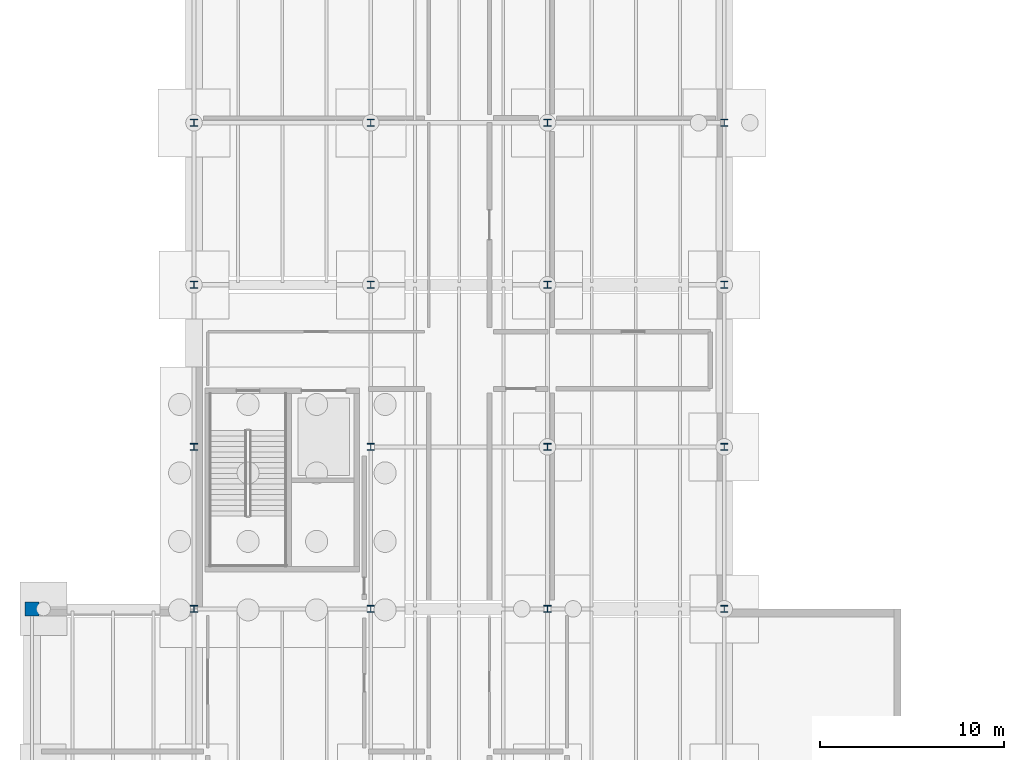
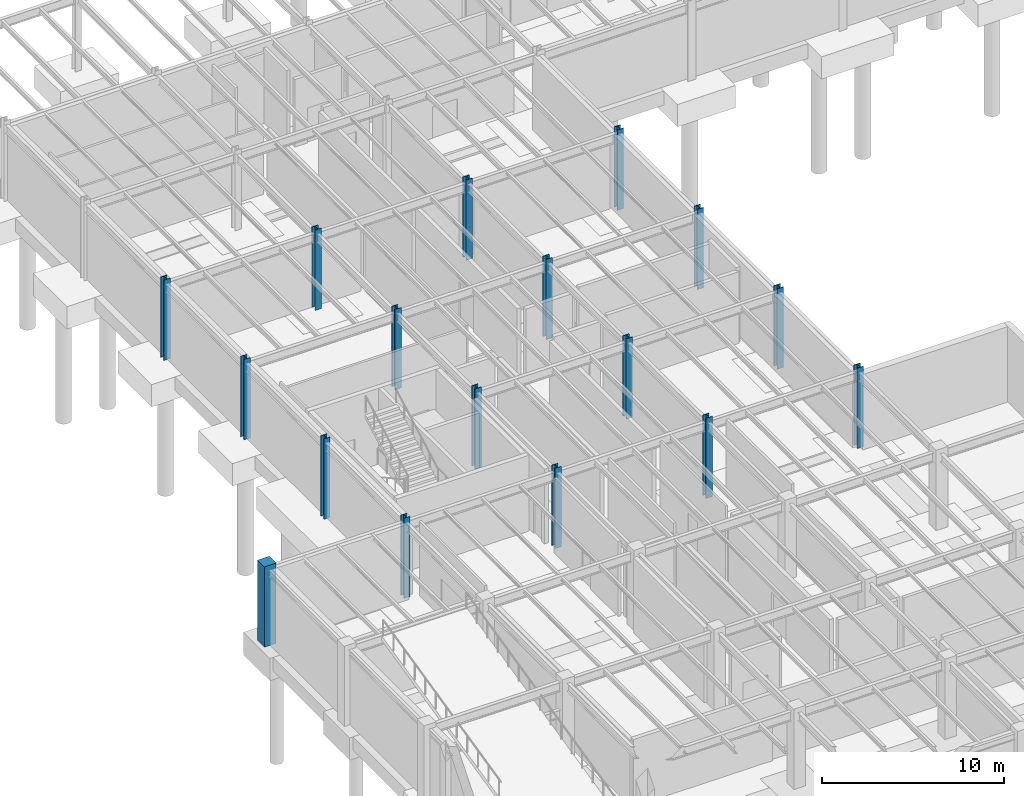
# One storey, part 8 of 48: 17 columns.
"""IFC4 building model written with IfcOpenShell, lengths in metres."""

from ifc_helpers import new_model, si_unit, direction, frame, origin, origin_2d, place, context, subcontext, project, spatial, rectangle, i_section, extrude, material, material_profile, profile_set, type_object, element, save


model = new_model("IFC4")

# Units and contexts
model_context = context("Model", 3, precision=1e-05, world=origin(), true_north=direction((0.0, 1.0)))
body_context = subcontext(model_context, "Body", "Model", "MODEL_VIEW")
ifc_project = project(units=[si_unit("LENGTHUNIT", "METRE"), si_unit("AREAUNIT", "SQUARE_METRE"), si_unit("VOLUMEUNIT", "CUBIC_METRE"), si_unit("PLANEANGLEUNIT", "RADIAN"), si_unit("MASSUNIT", "GRAM", prefix="KILO")], contexts=[model_context])

# Site, building, storey
site_placement = place(None, origin())
site = spatial("IfcSite", under=ifc_project, at=site_placement, CompositionType="ELEMENT")
building_placement = place(site_placement, origin())
building = spatial("IfcBuilding", under=site, at=building_placement, Name="Sarnbrook Museum", CompositionType="ELEMENT")
storey_placement = place(building_placement, frame((0.0, 0.0, -5.39990234375)))
storey = spatial("IfcBuildingStorey", under=building, at=storey_placement, Name="B1", CompositionType="ELEMENT", Elevation=-5.39990234375)

# Columns
ifc_material_1 = material(Name="Concrete N50 (AS 3600, f'c = 50 MPa)", Category="concrete")
ifc_material_profile_1 = material_profile(ifc_material_1, rectangle(XDim=0.75, YDim=0.75, at=origin_2d()), Name="RC 750x750")
ifc_profile_set_1 = profile_set([ifc_material_profile_1], Name="Concrete N50 (AS 3600, f'c = 50 MPa)")
column_type_1 = type_object("IfcColumnType", Name="COL-RC750", PredefinedType="COLUMN", material=ifc_profile_set_1)
column_placement = place(storey_placement, frame((4.800048828125, 39.199951171875, 0.0), z_axis=(0.0, 0.0, 1.0), x_axis=(1.0, 0.0, 0.0)))
element("IfcColumn", 1, at=column_placement, inside=storey, type_object=column_type_1, Name="Column 1-E B1", PredefinedType="COLUMN", context=body_context, shape_type="SweptSolid", body=[
    extrude(rectangle(XDim=0.75, YDim=0.75, at=origin_2d()), origin(), (0.0, 0.0, 1.0), 5.39990234375),
])
ifc_material_2 = material(Name="Structural Steel Grade 350L0 (AS/NZS 3678, fy = 340 MPa for 20 < t <= 40 mm)", Category="steel")
ifc_material_profile_2 = material_profile(ifc_material_2, i_section(OverallWidth=0.39990234375, OverallDepth=0.382080078125, WebThickness=0.02490234375, FlangeThickness=0.035888671875, at=origin_2d()), Name="400WC270")
ifc_profile_set_2 = profile_set([ifc_material_profile_2], Name="Structural Steel Grade 350L0 (AS/NZS 3678, fy = 340 MPa for 20 < t <= 40 mm)")
column_type_2 = type_object("IfcColumnType", Name="COL-WC400", PredefinedType="COLUMN", material=ifc_profile_set_2)
for number, where, z_axis, x_axis, name in (
    (2, (13.60009765625, 39.199951171875, 0.0), (0.0, 0.0, 1.0), (1.0, 0.0, 0.0), "Column 2-E B1"),
    (3, (13.60009765625, 48.0, 0.0), (0.0, 0.0, 1.0), (1.0, 0.0, 0.0), "Column 2-F B1"),
    (4, (13.60009765625, 56.800048828125, 0.0), (0.0, 0.0, 1.0), (1.0, 0.0, 0.0), "Column 2-G B1"),
    (5, (13.60009765625, 65.60009765625, 0.0), (0.0, 0.0, 1.0), (1.0, 0.0, 0.0), "Column 2-H B1"),
    (6, (23.199951171875, 39.199951171875, 0.0), (0.0, 0.0, 1.0), (1.0, 0.0, 0.0), "Column 3-E B1"),
    (7, (23.199951171875, 48.0, 0.0), (0.0, 0.0, 1.0), (1.0, 0.0, 0.0), "Column 3-F B1"),
    (8, (23.199951171875, 56.800048828125, 0.0), (0.0, 0.0, 1.0), (1.0, 0.0, 0.0), "Column 3-G B1"),
    (9, (23.199951171875, 65.60009765625, 0.0), (0.0, 0.0, 1.0), (1.0, 0.0, 0.0), "Column 3-H B1"),
    (10, (32.800048828125, 39.199951171875, 0.0), (0.0, 0.0, 1.0), (1.0, 0.0, 0.0), "Column 4-E B1"),
    (11, (32.800048828125, 48.0, 0.0), (0.0, 0.0, 1.0), (1.0, 0.0, 0.0), "Column 4-F B1"),
    (12, (32.800048828125, 56.800048828125, 0.0), (0.0, 0.0, 1.0), (1.0, 0.0, 0.0), "Column 4-G B1"),
    (13, (32.800048828125, 65.60009765625, 0.0), (0.0, 0.0, 1.0), (1.0, 0.0, 0.0), "Column 4-H B1"),
    (14, (42.39990234375, 39.199951171875, 0.0), (0.0, 0.0, 1.0), (1.0, 0.0, 0.0), "Column 5-E B1"),
    (15, (42.39990234375, 48.0, 0.0), (0.0, 0.0, 1.0), (1.0, 0.0, 0.0), "Column 5-F B1"),
    (16, (42.39990234375, 56.800048828125, 0.0), (0.0, 0.0, 1.0), (1.0, 0.0, 0.0), "Column 5-G B1"),
    (17, (42.39990234375, 65.60009765625, 0.0), (0.0, 0.0, 1.0), (1.0, 0.0, 0.0), "Column 5-H B1"),
):
    element("IfcColumn", number, at=place(storey_placement, frame(where, z_axis=z_axis, x_axis=x_axis)), inside=storey, type_object=column_type_2, Name=name, PredefinedType="COLUMN", context=body_context, shape_type="SweptSolid", body=[
        extrude(i_section(OverallWidth=0.39990234375, OverallDepth=0.382080078125, WebThickness=0.02490234375, FlangeThickness=0.035888671875, at=origin_2d()), origin(), (0.0, 0.0, 1.0), 5.39990234375),
    ])

save(model, "model.ifc")
